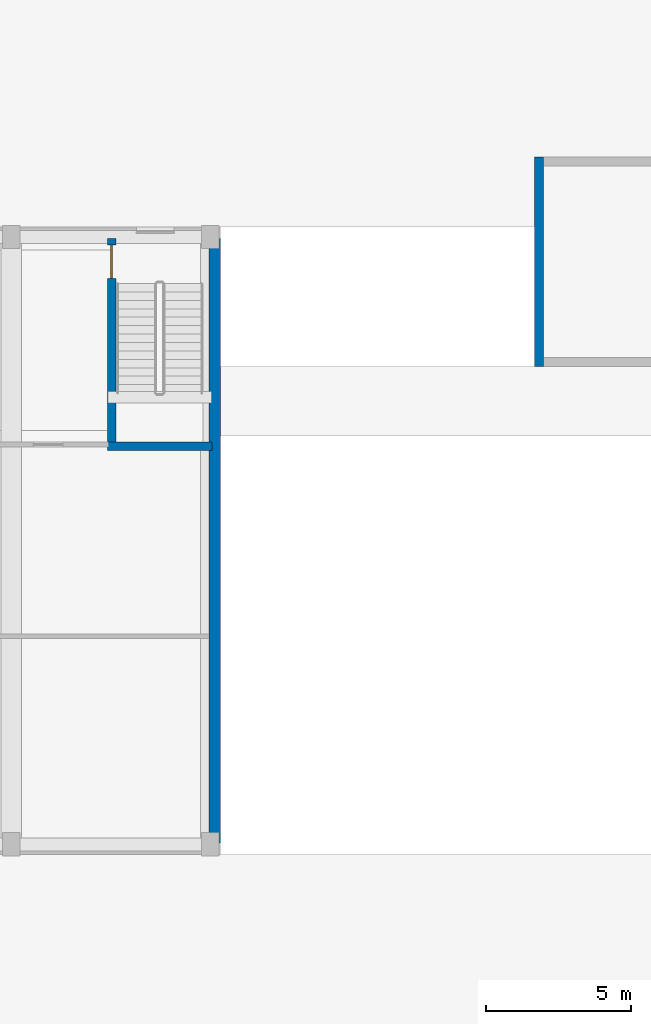
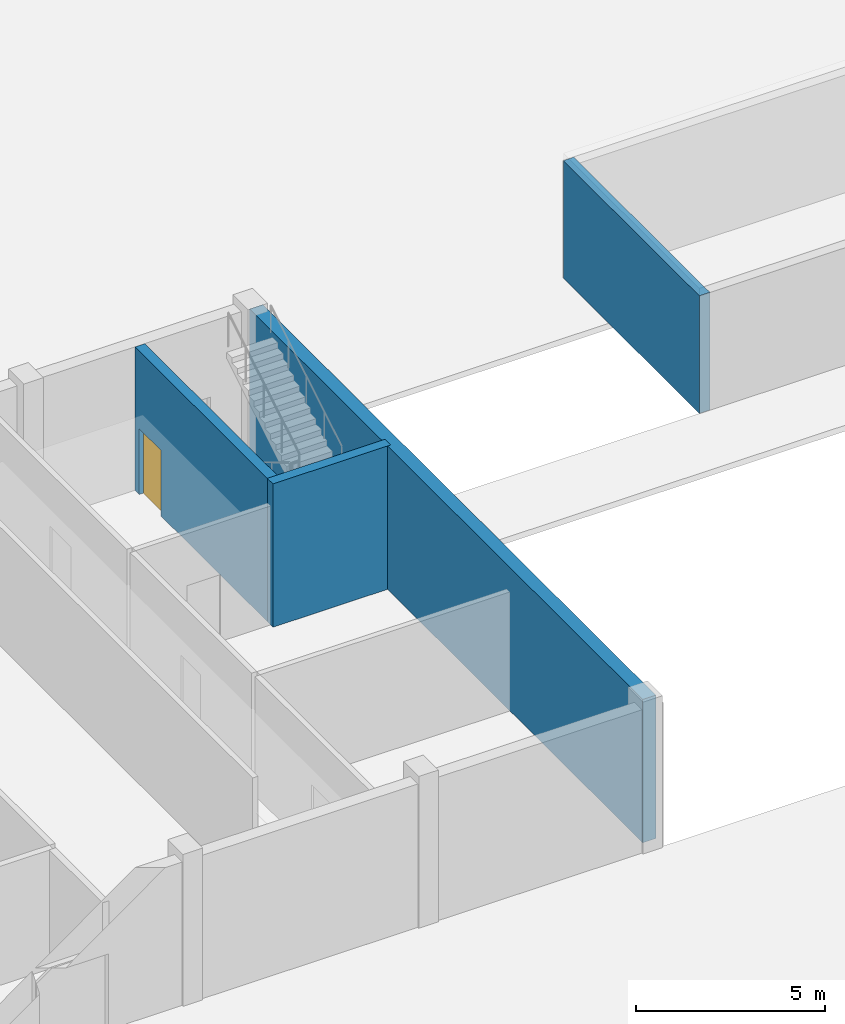
# One storey, part 42 of 85: 4 walls, 1 door, 1 opening.
"""IFC4 building model written with IfcOpenShell, lengths in metres."""

from ifc_helpers import new_model, si_unit, derived_unit, direction, frame, frame_2d, origin, place, context, subcontext, project, spatial, rectangle, extrude, material, layer, layer_set, type_object, element, fill, save


model = new_model("IFC4")

# Units and contexts
model_context = context("Model", 3, precision=1e-05, world=origin(), true_north=direction((0.0, 1.0)))
body_context = subcontext(model_context, "Body", "Model", "MODEL_VIEW")
ifc_project = project(units=[si_unit("LENGTHUNIT", "METRE"), si_unit("AREAUNIT", "SQUARE_METRE"), si_unit("VOLUMEUNIT", "CUBIC_METRE"), si_unit("PLANEANGLEUNIT", "RADIAN"), si_unit("MASSUNIT", "GRAM", prefix="KILO"), derived_unit("THERMALTRANSMITTANCEUNIT", [(si_unit("MASSUNIT", "GRAM", prefix="KILO"), 1), (si_unit("TIMEUNIT", "SECOND"), -3), (si_unit("THERMODYNAMICTEMPERATUREUNIT", "KELVIN"), -1)])], contexts=[model_context])

# Site, building, storey
site_placement = place(None, origin())
site = spatial("IfcSite", under=ifc_project, at=site_placement, CompositionType="ELEMENT")
building_placement = place(site_placement, origin())
building = spatial("IfcBuilding", under=site, at=building_placement, Name="Ochrekiln Boulevard Commons", CompositionType="ELEMENT")
storey_placement = place(building_placement, origin())
storey = spatial("IfcBuildingStorey", under=building, at=storey_placement, Name="L00", CompositionType="ELEMENT", Elevation=0.0)

# Walls
ifc_material_1 = material(Name="Iron-spot brown clinker brick masonry ASTM C216 Grade SW", Category="masonry")
ifc_layer_1 = layer(ifc_material_1, 0.39990234375)
ifc_layer_set_1 = layer_set([ifc_layer_1], Name="Iron-spot brown clinker brick masonry ASTM C216 Grade SW")
wall_type_1 = type_object("IfcWallType", Name="WL-EXT-HALL-400", PredefinedType="SOLIDWALL", material=ifc_layer_set_1)
wall_1_placement = place(storey_placement, frame((107.800048828125, 36.39990234375, 0.0), z_axis=(0.0, 0.0, 1.0), x_axis=(0.0, 1.0, 0.0)))
element("IfcWall", 1, at=wall_1_placement, inside=storey, type_object=wall_type_1, Name="Community Hall L00 E Exterior Wall", PredefinedType="SOLIDWALL", context=body_context, shape_type="SweptSolid", body=[
    extrude(rectangle(XDim=20.800048828125, YDim=0.39990234375, at=frame_2d((10.39990234375, 0.0))), origin(), (0.0, 0.0, 1.0), 4.6298828125),
])
ifc_material_2 = material(Name="Desert ochre clinker brick masonry ASTM C216 Grade SW", Category="masonry")
ifc_layer_2 = layer(ifc_material_2, 0.320068359375)
ifc_layer_set_2 = layer_set([ifc_layer_2], Name="Desert ochre clinker brick masonry ASTM C216 Grade SW")
wall_type_2 = type_object("IfcWallType", Name="WL-EXT-OCHRE-320", PredefinedType="SOLIDWALL", material=ifc_layer_set_2)
wall_2_placement = place(storey_placement, frame((118.9599609375, 52.800048828125, 0.0), z_axis=(0.0, 0.0, 1.0), x_axis=(0.0, 1.0, 0.0)))
element("IfcWall", 2, at=wall_2_placement, inside=storey, type_object=wall_type_2, Name="L00 Car Park Portal West Headwall", PredefinedType="SOLIDWALL", context=body_context, shape_type="SweptSolid", body=[
    extrude(rectangle(XDim=7.199951171875, YDim=0.320068359375, at=frame_2d((3.60009765625, 0.0))), origin(), (0.0, 0.0, 1.0), 3.800048828125),
])
ifc_material_3 = material(Name="Concrete C40/50", Category="concrete")
ifc_layer_3 = layer(ifc_material_3, 0.300048828125)
ifc_layer_set_3 = layer_set([ifc_layer_3], Name="Concrete C40/50")
wall_type_3 = type_object("IfcWallType", Name="WL-SH-300", PredefinedType="SHEAR", material=ifc_layer_set_3)
wall_3_placement = place(storey_placement, frame((104.10009765625, 50.050048828125, 0.0), z_axis=(0.0, 0.0, 1.0), x_axis=(1.0, 0.0, 0.0)))
element("IfcWall", 3, at=wall_3_placement, inside=storey, type_object=wall_type_3, Name="Stair ST-H2 L00 Core Shear Wall S", PredefinedType="SHEAR", context=body_context, shape_type="SweptSolid", body=[
    extrude(rectangle(XDim=3.599853515625, YDim=0.300048828125, at=frame_2d((1.7998046875, 0.0))), origin(), (0.0, 0.0, 1.0), 4.6298828125),
])

# Wall, opening, door
wall_4_placement = place(storey_placement, frame((104.25, 50.199951171875, 0.0), z_axis=(0.0, 0.0, 1.0), x_axis=(0.0, 1.0, 0.0)))
wall_4 = element("IfcWall", 4, at=wall_4_placement, inside=storey, type_object=wall_type_3, Name="Stair ST-H2 L00 Core Shear Wall W", PredefinedType="SHEAR", context=body_context, shape_type="SweptSolid", body=[
    extrude(rectangle(XDim=7.0, YDim=0.300048828125, at=frame_2d((3.5, 0.0))), origin(), (0.0, 0.0, 1.0), 4.6298828125),
])
opening_placement = place(wall_4_placement, frame((5.625, 0.0, 0.0)))
opening = element("IfcOpeningElement", 5, at=opening_placement, cuts=wall_4, Name="Opening D-L00-ST-H2", PredefinedType="OPENING", context=body_context, shape_type="SweptSolid", body=[
    extrude(rectangle(XDim=1.14990234375, YDim=2.1201171875, at=frame_2d((0.574951171875, 1.06005859375))), frame((0.0, 0.159912109375, 0.0), z_axis=(0.0, -1.0, 0.0), x_axis=(1.0, 0.0, 0.0)), (0.0, 0.0, 1.0), 0.320068359375),
])
ifc_material_4 = material(Name="Hollow metal fire-rated steel door assembly", Category="steel")
door_type = type_object("IfcDoorType", Name="DR-STAIR-90", OperationType="NOTDEFINED", PredefinedType="DOOR", material=ifc_material_4)
door_placement = place(opening_placement, frame((1.14990234375, 0.0, 0.0), z_axis=(0.0, 0.0, 1.0), x_axis=(-1.0, 0.0, 0.0)))
door = element("IfcDoor", 6, at=door_placement, inside=storey, type_object=door_type, Name="Enclosed Exit Stair ST-H2 L00 Rated Door", OperationType="SINGLE_SWING_LEFT", OverallHeight=2.1201171875, OverallWidth=1.14990234375, PredefinedType="DOOR", context=body_context, shape_type="SweptSolid", body=[
    extrude(rectangle(XDim=1.14990234375, YDim=2.1201171875, at=frame_2d((0.574951171875, 1.06005859375))), frame((0.0, 0.02490234375, 0.0), z_axis=(0.0, -1.0, 0.0), x_axis=(1.0, 0.0, 0.0)), (0.0, 0.0, 1.0), 0.050048828125),
])
fill(opening, door)

save(model, "model.ifc")
